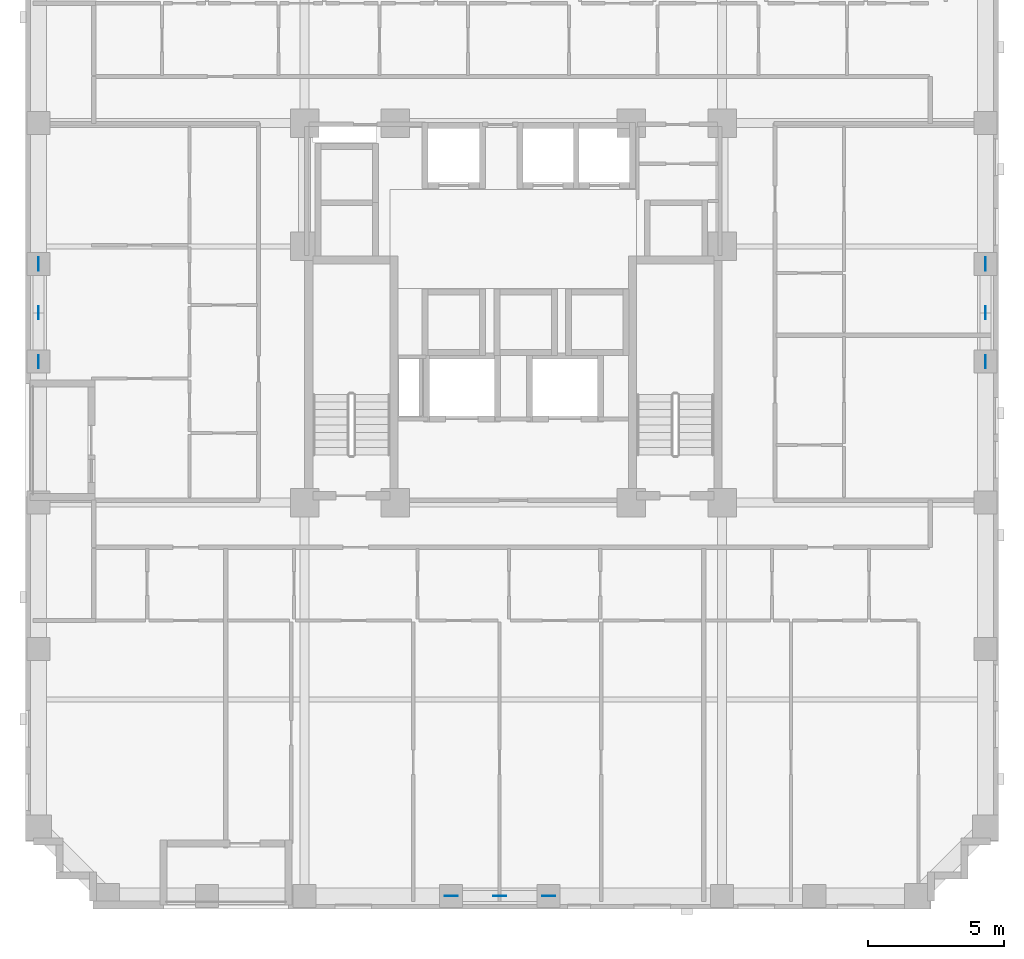
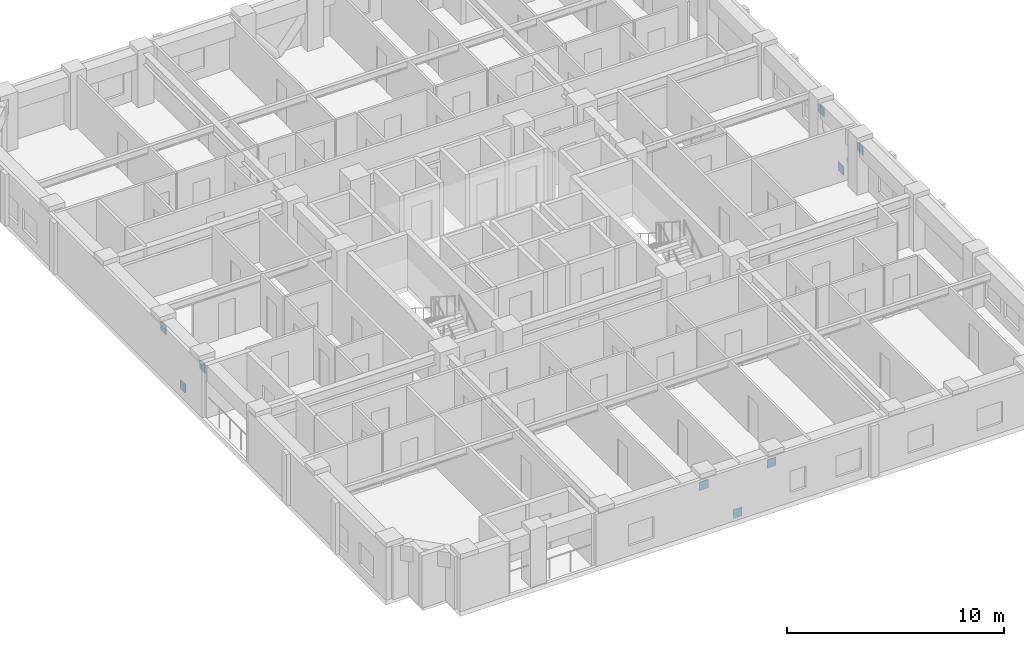
# One storey, part 9 of 12: 9 discrete accessories.
"""IFC4 building model written with IfcOpenShell, lengths in metres."""

from ifc_helpers import new_model, si_unit, derived_unit, direction, frame, origin, origin_2d, place, context, subcontext, project, spatial, rectangle, extrude, material, layer, layer_set, type_object, element, save


model = new_model("IFC4")

# Units and contexts
model_context = context("Model", 3, precision=1e-05, world=origin(), true_north=direction((0.0, 1.0)))
body_context = subcontext(model_context, "Body", "Model", "MODEL_VIEW")
ifc_project = project(units=[si_unit("LENGTHUNIT", "METRE"), si_unit("AREAUNIT", "SQUARE_METRE"), si_unit("VOLUMEUNIT", "CUBIC_METRE"), si_unit("PLANEANGLEUNIT", "RADIAN"), si_unit("MASSUNIT", "GRAM", prefix="KILO"), derived_unit("THERMALTRANSMITTANCEUNIT", [(si_unit("MASSUNIT", "GRAM", prefix="KILO"), 1), (si_unit("TIMEUNIT", "SECOND"), -3), (si_unit("THERMODYNAMICTEMPERATUREUNIT", "KELVIN"), -1)])], contexts=[model_context])

# Site, building, storey
site_placement = place(None, origin())
site = spatial("IfcSite", under=ifc_project, at=site_placement, CompositionType="ELEMENT")
building_placement = place(site_placement, origin())
building = spatial("IfcBuilding", under=site, at=building_placement, Name="Korrvale Station Residences", CompositionType="ELEMENT")
storey_placement = place(building_placement, frame((0.0, 0.0, 78.300048828125)))
storey = spatial("IfcBuildingStorey", under=building, at=storey_placement, Name="L21", CompositionType="ELEMENT", Elevation=78.300048828125)

# Discrete accessories
ifc_material = material(Name="Steel S355", Category="steel")
ifc_layer = layer(ifc_material, 0.02490234375, Name="Steel S355")
ifc_layer_set = layer_set([ifc_layer], Name="Steel S355")
discrete_accessory_type = type_object("IfcDiscreteAccessoryType", Name="ACC-GUSSET-25", PredefinedType="BRACKET", material=ifc_layer_set)
for number, where, z_axis, x_axis, name in (
    (1, (25.0, 0.47998046875, -0.219970703125), (0.0, 0.0, 1.0), (1.0, 0.0, 0.0), "L21 S Brace End Gusset Connection M"),
    (2, (23.199951171875, 0.47998046875, 1.969970703125), (0.0, 0.0, 1.0), (1.0, 0.0, 0.0), "L21 S Brace End Gusset Connection A"),
    (3, (26.800048828125, 0.47998046875, 1.969970703125), (0.0, 0.0, 1.0), (1.0, 0.0, 0.0), "L21 S Brace End Gusset Connection B"),
    (4, (7.97998046875, 22.0, -0.219970703125), (0.0, 0.0, 1.0), (0.0, 1.0, 0.0), "L21 W Brace End Gusset Connection M"),
    (5, (7.97998046875, 20.199951171875, 1.969970703125), (0.0, 0.0, 1.0), (0.0, 1.0, 0.0), "L21 W Brace End Gusset Connection A"),
    (6, (7.97998046875, 23.800048828125, 1.969970703125), (0.0, 0.0, 1.0), (0.0, 1.0, 0.0), "L21 W Brace End Gusset Connection B"),
    (7, (42.919921875, 22.0, -0.219970703125), (0.0, 0.0, 1.0), (0.0, 1.0, 0.0), "L21 E Brace End Gusset Connection M"),
    (8, (42.919921875, 20.199951171875, 1.969970703125), (0.0, 0.0, 1.0), (0.0, 1.0, 0.0), "L21 E Brace End Gusset Connection A"),
    (9, (42.919921875, 23.800048828125, 1.969970703125), (0.0, 0.0, 1.0), (0.0, 1.0, 0.0), "L21 E Brace End Gusset Connection B"),
):
    element("IfcDiscreteAccessory", number, at=place(storey_placement, frame(where, z_axis=z_axis, x_axis=x_axis)), inside=storey, type_object=discrete_accessory_type, Name=name, PredefinedType="BRACKET", context=body_context, shape_type="SweptSolid", body=[
        extrude(rectangle(XDim=0.47998046875, YDim=0.02490234375, at=origin_2d()), origin(), (0.0, 0.0, 1.0), 0.47998046875),
    ])

save(model, "model.ifc")
